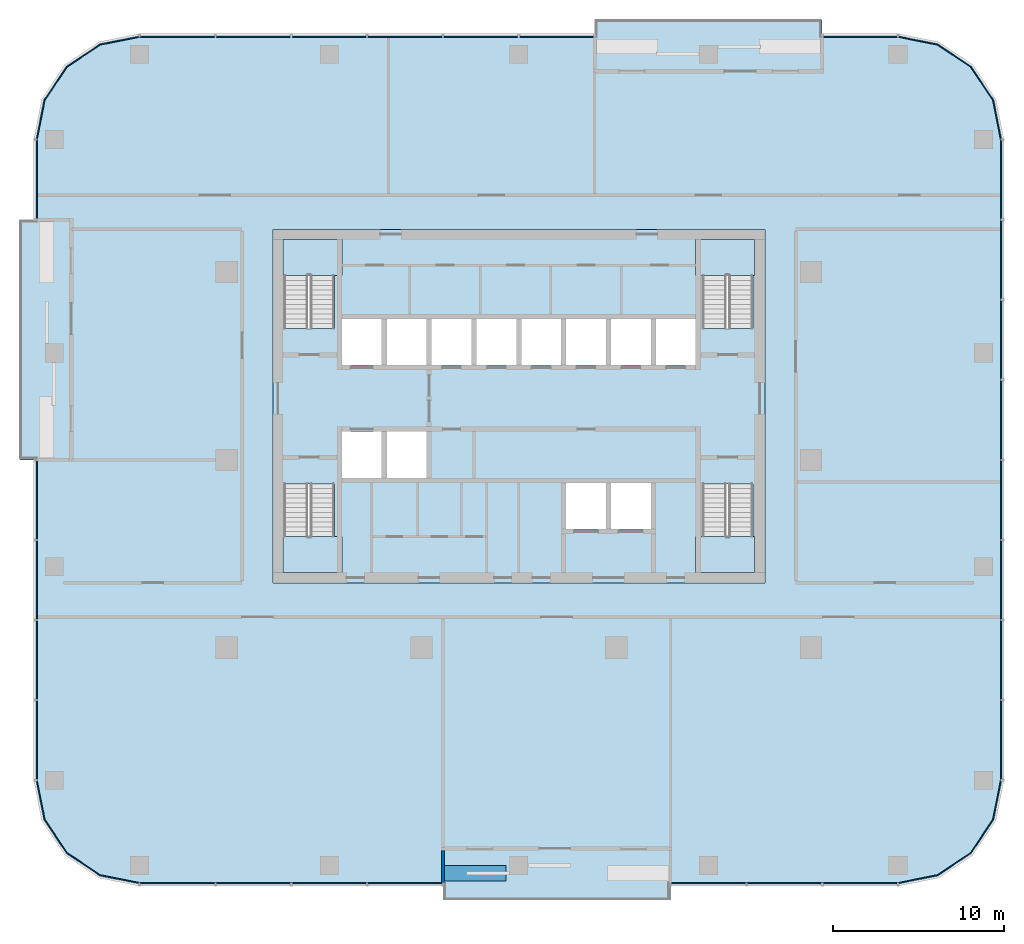
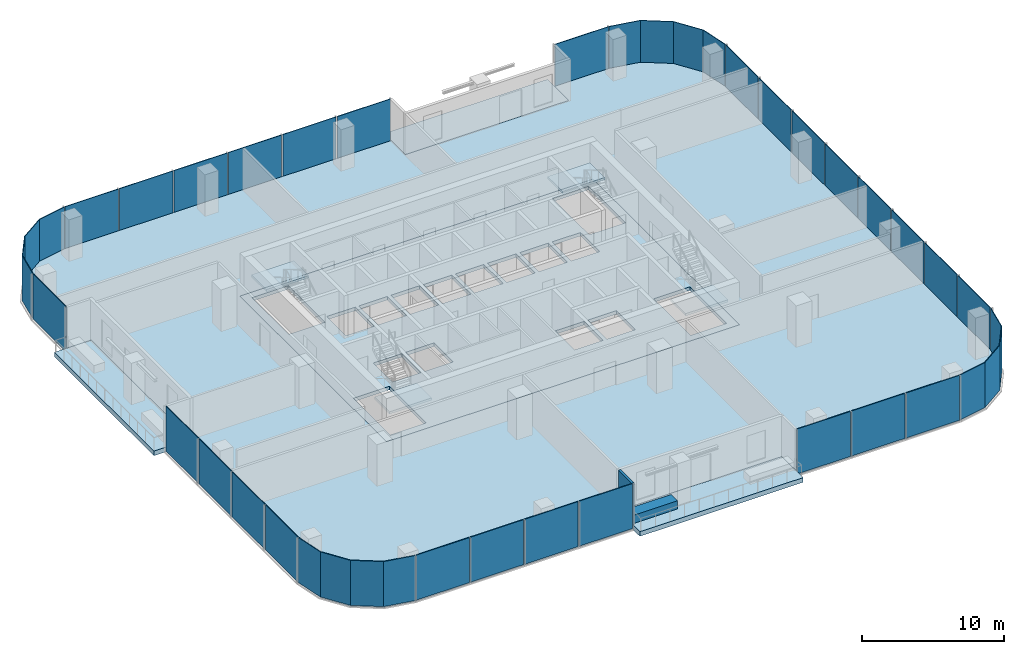
# One storey, part 6 of 14: 31 plates, 9 slabs, 2 walls, 15 elements without a shape of their own.
"""IFC4 building model written with IfcOpenShell, lengths in metres."""

from ifc_helpers import new_model, si_unit, direction, frame, frame_2d, origin, origin_2d, place, context, subcontext, project, spatial, polyline, rectangle, outline, extrude, material, layer, layer_set, type_object, element, aggregate, save


model = new_model("IFC4")

# Units and contexts
model_context = context("Model", 3, precision=1e-05, world=origin(), true_north=direction((0.0, 1.0)))
body_context = subcontext(model_context, "Body", "Model", "MODEL_VIEW")
ifc_project = project(units=[si_unit("LENGTHUNIT", "METRE"), si_unit("AREAUNIT", "SQUARE_METRE"), si_unit("VOLUMEUNIT", "CUBIC_METRE"), si_unit("PLANEANGLEUNIT", "RADIAN"), si_unit("MASSUNIT", "GRAM", prefix="KILO")], contexts=[model_context])

# Site, building, storey
site_placement = place(None, origin())
site = spatial("IfcSite", under=ifc_project, at=site_placement, CompositionType="ELEMENT")
building_placement = place(site_placement, origin())
building = spatial("IfcBuilding", under=site, at=building_placement, Name="Mopane Tessera Tower", CompositionType="ELEMENT")
storey_placement = place(building_placement, frame((0.0, 0.0, 239.0)))
storey = spatial("IfcBuildingStorey", under=building, at=storey_placement, Name="L51", CompositionType="ELEMENT", Elevation=239.0)

# Slab
ifc_material_1 = material(Name="Concrete C40/50", Category="concrete")
ifc_layer_1 = layer(ifc_material_1, 0.300048828125)
ifc_layer_set_1 = layer_set([ifc_layer_1], Name="Concrete C40/50")
slab_type_1 = type_object("IfcSlabType", Name="Core floor slab 300 mm", PredefinedType="FLOOR", material=ifc_layer_set_1)
slab_1_placement = place(storey_placement, frame((0.0, 0.0, -0.300048828125)))
element("IfcSlab", 1, at=slab_1_placement, inside=storey, type_object=slab_type_1, Name="L51 core floor slab", PredefinedType="FLOOR", context=body_context, shape_type="SweptSolid", body=[
    extrude(outline(polyline([(-14.39990234375, -7.199951171875), (14.39990234375, -7.199951171875), (14.39990234375, 13.5), (-14.39990234375, 13.5), (-14.39990234375, -7.199951171875)]), holes=[polyline([(-10.35009765625, -1.050048828125), (-8.02490234375, -1.050048828125), (-8.02490234375, 1.64990234375), (-10.35009765625, 1.64990234375), (-10.35009765625, -1.050048828125)]), polyline([(-7.72509765625, -1.050048828125), (-5.39990234375, -1.050048828125), (-5.39990234375, 1.64990234375), (-7.72509765625, 1.64990234375), (-7.72509765625, -1.050048828125)]), polyline([(-10.35009765625, 5.550048828125), (-8.02490234375, 5.550048828125), (-8.02490234375, 8.25), (-10.35009765625, 8.25), (-10.35009765625, 5.550048828125)]), polyline([(-7.72509765625, 5.550048828125), (-5.39990234375, 5.550048828125), (-5.39990234375, 8.25), (-7.72509765625, 8.25), (-7.72509765625, 5.550048828125)]), polyline([(-5.10009765625, 5.550048828125), (-2.77490234375, 5.550048828125), (-2.77490234375, 8.25), (-5.10009765625, 8.25), (-5.10009765625, 5.550048828125)]), polyline([(-2.47509765625, 5.550048828125), (-0.14990234375, 5.550048828125), (-0.14990234375, 8.25), (-2.47509765625, 8.25), (-2.47509765625, 5.550048828125)]), polyline([(0.14990234375, 5.550048828125), (2.47509765625, 5.550048828125), (2.47509765625, 8.25), (0.14990234375, 8.25), (0.14990234375, 5.550048828125)]), polyline([(2.77490234375, 5.550048828125), (5.10009765625, 5.550048828125), (5.10009765625, 8.25), (2.77490234375, 8.25), (2.77490234375, 5.550048828125)]), polyline([(5.39990234375, 5.550048828125), (7.72509765625, 5.550048828125), (7.72509765625, 8.25), (5.39990234375, 8.25), (5.39990234375, 5.550048828125)]), polyline([(8.02490234375, 5.550048828125), (10.35009765625, 5.550048828125), (10.35009765625, 8.25), (8.02490234375, 8.25), (8.02490234375, 5.550048828125)]), polyline([(2.77490234375, -4.050048828125), (5.10009765625, -4.050048828125), (5.10009765625, -1.35009765625), (2.77490234375, -1.35009765625), (2.77490234375, -4.050048828125)]), polyline([(5.39990234375, -4.050048828125), (7.72509765625, -4.050048828125), (7.72509765625, -1.35009765625), (5.39990234375, -1.35009765625), (5.39990234375, -4.050048828125)]), polyline([(-13.75, -1.405029296875), (-13.75, -6.60009765625), (-10.800048828125, -6.60009765625), (-10.800048828125, -1.405029296875), (-13.75, -1.405029296875)]), polyline([(-10.800048828125, 7.705078125), (-10.800048828125, 12.89990234375), (-13.75, 12.89990234375), (-13.75, 7.705078125), (-10.800048828125, 7.705078125)]), polyline([(10.75, -1.405029296875), (10.75, -6.60009765625), (13.699951171875, -6.60009765625), (13.699951171875, -1.405029296875), (10.75, -1.405029296875)]), polyline([(13.699951171875, 7.705078125), (13.699951171875, 12.89990234375), (10.75, 12.89990234375), (10.75, 7.705078125), (13.699951171875, 7.705078125)])]), origin(), (0.0, 0.0, 1.0), 0.300048828125),
])

# Stair, slab
ifc_material_2 = material(Name="Concrete C50/60", Category="concrete")
stair_type = type_object("IfcStairType", Name="Escape stair 1400 mm, riser 167 mm", PredefinedType="HALF_TURN_STAIR", material=ifc_material_2)
stair_1_placement = place(storey_placement, origin())
stair_1 = element("IfcStair", 2, at=stair_1_placement, inside=storey, type_object=stair_type, Name="L51 Escape stair south-west", PredefinedType="HALF_TURN_STAIR")
ifc_material_3 = material(Name="Concrete C50/60", Category="concrete")
ifc_layer_2 = layer(ifc_material_3, 0.199951171875)
ifc_layer_set_2 = layer_set([ifc_layer_2], Name="Concrete C50/60")
slab_type_2 = type_object("IfcSlabType", Name="Escape stair landing 200 mm", PredefinedType="LANDING", material=ifc_layer_set_2)
slab_2_placement = place(storey_placement, frame((0.0, 0.0, 1.800048828125)))
slab_2 = element("IfcSlab", 3, at=slab_2_placement, type_object=slab_type_2, Name="ST1 landing 1", PredefinedType="LANDING", context=body_context, shape_type="SweptSolid", body=[
    extrude(outline(polyline([(-13.800048828125, -4.47998046875), (-13.800048828125, -6.60009765625), (-10.35009765625, -6.60009765625), (-10.35009765625, -4.47998046875), (-13.800048828125, -4.47998046875)])), origin(), (0.0, 0.0, 1.0), 0.199951171875),
])
aggregate(stair_1, [slab_2])

stair_2_placement = place(storey_placement, origin())
stair_2 = element("IfcStair", 4, at=stair_2_placement, inside=storey, type_object=stair_type, Name="L51 Escape stair north-west", PredefinedType="HALF_TURN_STAIR")
slab_3_placement = place(storey_placement, frame((0.0, 0.0, 1.800048828125)))
slab_3 = element("IfcSlab", 5, at=slab_3_placement, type_object=slab_type_2, Name="ST2 landing 1", PredefinedType="LANDING", context=body_context, shape_type="SweptSolid", body=[
    extrude(outline(polyline([(-10.35009765625, 10.780029296875), (-10.35009765625, 12.89990234375), (-13.800048828125, 12.89990234375), (-13.800048828125, 10.780029296875), (-10.35009765625, 10.780029296875)])), origin(), (0.0, 0.0, 1.0), 0.199951171875),
])
aggregate(stair_2, [slab_3])

stair_3_placement = place(storey_placement, origin())
stair_3 = element("IfcStair", 6, at=stair_3_placement, inside=storey, type_object=stair_type, Name="L51 Escape stair south-east", PredefinedType="HALF_TURN_STAIR")
slab_4_placement = place(storey_placement, frame((0.0, 0.0, 1.800048828125)))
slab_4 = element("IfcSlab", 7, at=slab_4_placement, type_object=slab_type_2, Name="ST3 landing 1", PredefinedType="LANDING", context=body_context, shape_type="SweptSolid", body=[
    extrude(outline(polyline([(10.35009765625, -4.47998046875), (10.35009765625, -6.60009765625), (13.800048828125, -6.60009765625), (13.800048828125, -4.47998046875), (10.35009765625, -4.47998046875)])), origin(), (0.0, 0.0, 1.0), 0.199951171875),
])
aggregate(stair_3, [slab_4])

stair_4_placement = place(storey_placement, origin())
stair_4 = element("IfcStair", 8, at=stair_4_placement, inside=storey, type_object=stair_type, Name="L51 Escape stair north-east", PredefinedType="HALF_TURN_STAIR")
slab_5_placement = place(storey_placement, frame((0.0, 0.0, 1.800048828125)))
slab_5 = element("IfcSlab", 9, at=slab_5_placement, type_object=slab_type_2, Name="ST4 landing 1", PredefinedType="LANDING", context=body_context, shape_type="SweptSolid", body=[
    extrude(outline(polyline([(13.800048828125, 10.780029296875), (13.800048828125, 12.89990234375), (10.35009765625, 12.89990234375), (10.35009765625, 10.780029296875), (13.800048828125, 10.780029296875)])), origin(), (0.0, 0.0, 1.0), 0.199951171875),
])
aggregate(stair_4, [slab_5])

# Slabs
ifc_material_4 = material(Name="Concrete C40/50", Category="concrete")
ifc_layer_3 = layer(ifc_material_4, 0.39990234375)
ifc_layer_set_3 = layer_set([ifc_layer_3], Name="Concrete C40/50")
slab_type_3 = type_object("IfcSlabType", Name="Planted terrace slab 400 mm", PredefinedType="FLOOR", material=ifc_layer_set_3)
slab_6_placement = place(storey_placement, frame((0.0, 0.0, -0.39990234375)))
element("IfcSlab", 10, at=slab_6_placement, inside=storey, type_object=slab_type_3, Name="Terrace slab N1 L51", PredefinedType="FLOOR", context=body_context, shape_type="SweptSolid", body=[
    extrude(outline(polyline([(8.8798828125, -25.75), (8.8798828125, -22.75), (-4.43994140625, -22.75), (-4.43994140625, -25.75), (8.8798828125, -25.75)])), origin(), (0.0, 0.0, 1.0), 0.39990234375),
])
slab_7_placement = place(storey_placement, frame((0.0, 0.0, -0.39990234375)))
element("IfcSlab", 11, at=slab_7_placement, inside=storey, type_object=slab_type_3, Name="Terrace slab N2 L51", PredefinedType="FLOOR", context=body_context, shape_type="SweptSolid", body=[
    extrude(outline(polyline([(4.43994140625, 25.75), (4.43994140625, 22.75), (17.760009765625, 22.75), (17.760009765625, 25.75), (4.43994140625, 25.75)])), origin(), (0.0, 0.0, 1.0), 0.39990234375),
])
slab_8_placement = place(storey_placement, frame((0.0, 0.0, -0.39990234375)))
element("IfcSlab", 12, at=slab_8_placement, inside=storey, type_object=slab_type_3, Name="Terrace slab N3 L51", PredefinedType="FLOOR", context=body_context, shape_type="SweptSolid", body=[
    extrude(outline(polyline([(-29.199951171875, 0.0), (-26.199951171875, 0.0), (-26.199951171875, 14.0625), (-29.199951171875, 14.0625), (-29.199951171875, 0.0)])), origin(), (0.0, 0.0, 1.0), 0.39990234375),
])
ifc_material_5 = material(Name="Concrete C40/50", Category="concrete")
ifc_layer_4 = layer(ifc_material_5, 0.39990234375)
ifc_layer_set_4 = layer_set([ifc_layer_4], Name="Concrete C40/50")
slab_type_4 = type_object("IfcSlabType", Name="Post-tensioned flat plate 400 mm", PredefinedType="FLOOR", material=ifc_layer_set_4)
slab_9_placement = place(storey_placement, frame((0.0, 0.0, -0.39990234375)))
element("IfcSlab", 13, at=slab_9_placement, inside=storey, type_object=slab_type_4, Name="Floor slab L51", PredefinedType="FLOOR", context=body_context, shape_type="SweptSolid", body=[
    extrude(outline(polyline([(-22.199951171875, -24.75), (-4.43994140625, -24.75), (-4.43994140625, -22.75), (8.8798828125, -22.75), (8.8798828125, -24.75), (22.199951171875, -24.75), (24.49609375, -24.293212890625), (26.442626953125, -22.99267578125), (27.7431640625, -21.046142578125), (28.199951171875, -18.75), (28.199951171875, 18.75), (27.7431640625, 21.046142578125), (26.442626953125, 22.99267578125), (24.49609375, 24.293212890625), (22.199951171875, 24.75), (17.760009765625, 24.75), (17.760009765625, 22.75), (4.43994140625, 22.75), (4.43994140625, 24.75), (-22.199951171875, 24.75), (-24.49609375, 24.293212890625), (-26.442626953125, 22.99267578125), (-27.7431640625, 21.046142578125), (-28.199951171875, 18.75), (-28.199951171875, 14.0625), (-26.199951171875, 14.0625), (-26.199951171875, 0.0), (-28.199951171875, 0.0), (-28.199951171875, -18.75), (-27.7431640625, -21.046142578125), (-26.442626953125, -22.99267578125), (-24.49609375, -24.293212890625), (-22.199951171875, -24.75)]), holes=[polyline([(14.39990234375, -7.199951171875), (-14.39990234375, -7.199951171875), (-14.39990234375, 13.5), (14.39990234375, 13.5), (14.39990234375, -7.199951171875)])]), origin(), (0.0, 0.0, 1.0), 0.39990234375),
])

# Curtain wall, plates
ifc_material_6 = material(Name="Aluminium frame", Category="aluminium")
curtain_wall_type = type_object("IfcCurtainWallType", Name="Unitised curtain wall", PredefinedType="NOTDEFINED", material=ifc_material_6)
curtain_wall_1_placement = place(storey_placement, origin())
curtain_wall_1 = element("IfcCurtainWall", 14, at=curtain_wall_1_placement, inside=storey, type_object=curtain_wall_type, Name="e:cw:L51:S:0", PredefinedType="NOTDEFINED")
ifc_material_7 = material(Name="Clear laminated glass", Category="glass")
ifc_layer_5 = layer(ifc_material_7, 0.06005859375)
ifc_layer_set_5 = layer_set([ifc_layer_5], Name="Clear laminated glass")
plate_type = type_object("IfcPlateType", Name="Unitised glazed unit", PredefinedType="CURTAIN_PANEL", material=ifc_layer_set_5)
plate_1_placement = place(storey_placement, frame((-19.97998046875, -24.780029296875, -0.280029296875), z_axis=(0.0, 0.0, 1.0), x_axis=(1.0, 0.0, 0.0)))
plate_1 = element("IfcPlate", 15, at=plate_1_placement, type_object=plate_type, Name="e:cw:L51:S:0:pn0", PredefinedType="CURTAIN_PANEL", context=body_context, shape_type="SweptSolid", body=[
    extrude(rectangle(XDim=4.340087890625, YDim=0.06005859375, at=origin_2d()), origin(), (0.0, 0.0, 1.0), 3.8798828125),
])
plate_2_placement = place(storey_placement, frame((-15.5400390625, -24.780029296875, -0.280029296875), z_axis=(0.0, 0.0, 1.0), x_axis=(1.0, 0.0, 0.0)))
plate_2 = element("IfcPlate", 16, at=plate_2_placement, type_object=plate_type, Name="e:cw:L51:S:0:pn1", PredefinedType="CURTAIN_PANEL", context=body_context, shape_type="SweptSolid", body=[
    extrude(rectangle(XDim=4.340087890625, YDim=0.06005859375, at=origin_2d()), origin(), (0.0, 0.0, 1.0), 3.8798828125),
])
plate_3_placement = place(storey_placement, frame((-11.10009765625, -24.780029296875, -0.280029296875), z_axis=(0.0, 0.0, 1.0), x_axis=(1.0, 0.0, 0.0)))
plate_3 = element("IfcPlate", 17, at=plate_3_placement, type_object=plate_type, Name="e:cw:L51:S:0:pn2", PredefinedType="CURTAIN_PANEL", context=body_context, shape_type="SweptSolid", body=[
    extrude(rectangle(XDim=4.340087890625, YDim=0.06005859375, at=origin_2d()), origin(), (0.0, 0.0, 1.0), 3.8798828125),
])
plate_4_placement = place(storey_placement, frame((-6.659912109375, -24.780029296875, -0.280029296875), z_axis=(0.0, 0.0, 1.0), x_axis=(1.0, 0.0, 0.0)))
plate_4 = element("IfcPlate", 18, at=plate_4_placement, type_object=plate_type, Name="e:cw:L51:S:0:pn3", PredefinedType="CURTAIN_PANEL", context=body_context, shape_type="SweptSolid", body=[
    extrude(rectangle(XDim=4.340087890625, YDim=0.06005859375, at=origin_2d()), origin(), (0.0, 0.0, 1.0), 3.8798828125),
])
aggregate(curtain_wall_1, [plate_1, plate_2, plate_3, plate_4])

curtain_wall_2_placement = place(storey_placement, origin())
curtain_wall_2 = element("IfcCurtainWall", 19, at=curtain_wall_2_placement, inside=storey, type_object=curtain_wall_type, Name="e:cw:L51:S:7", PredefinedType="NOTDEFINED")
plate_5_placement = place(storey_placement, frame((11.10009765625, -24.780029296875, -0.280029296875), z_axis=(0.0, 0.0, 1.0), x_axis=(1.0, 0.0, 0.0)))
plate_5 = element("IfcPlate", 20, at=plate_5_placement, type_object=plate_type, Name="e:cw:L51:S:7:pn7", PredefinedType="CURTAIN_PANEL", context=body_context, shape_type="SweptSolid", body=[
    extrude(rectangle(XDim=4.340087890625, YDim=0.06005859375, at=origin_2d()), origin(), (0.0, 0.0, 1.0), 3.8798828125),
])
plate_6_placement = place(storey_placement, frame((15.5400390625, -24.780029296875, -0.280029296875), z_axis=(0.0, 0.0, 1.0), x_axis=(1.0, 0.0, 0.0)))
plate_6 = element("IfcPlate", 21, at=plate_6_placement, type_object=plate_type, Name="e:cw:L51:S:7:pn8", PredefinedType="CURTAIN_PANEL", context=body_context, shape_type="SweptSolid", body=[
    extrude(rectangle(XDim=4.340087890625, YDim=0.06005859375, at=origin_2d()), origin(), (0.0, 0.0, 1.0), 3.8798828125),
])
plate_7_placement = place(storey_placement, frame((19.97998046875, -24.780029296875, -0.280029296875), z_axis=(0.0, 0.0, 1.0), x_axis=(1.0, 0.0, 0.0)))
plate_7 = element("IfcPlate", 22, at=plate_7_placement, type_object=plate_type, Name="e:cw:L51:S:7:pn9", PredefinedType="CURTAIN_PANEL", context=body_context, shape_type="SweptSolid", body=[
    extrude(rectangle(XDim=4.340087890625, YDim=0.06005859375, at=origin_2d()), origin(), (0.0, 0.0, 1.0), 3.8798828125),
])
aggregate(curtain_wall_2, [plate_5, plate_6, plate_7])

# Curtain wall, plate
curtain_wall_3_placement = place(storey_placement, origin())
curtain_wall_3 = element("IfcCurtainWall", 23, at=curtain_wall_3_placement, inside=storey, type_object=curtain_wall_type, Name="e:cw:L51:CS", PredefinedType="NOTDEFINED")
plate_8_placement = place(storey_placement, frame((0.0, 0.0, -0.280029296875)))
plate_8 = element("IfcPlate", 24, at=plate_8_placement, type_object=plate_type, Name="e:cw:L51:CS:pn", PredefinedType="CURTAIN_PANEL", context=body_context, shape_type="SweptSolid", body=[
    extrude(outline(polyline([(22.199951171875, -24.75), (24.49609375, -24.293212890625), (26.442626953125, -22.99267578125), (27.7431640625, -21.046142578125), (28.199951171875, -18.75), (28.260009765625, -18.75), (27.798828125, -21.069091796875), (26.485107421875, -23.03515625), (24.51904296875, -24.3486328125), (22.199951171875, -24.81005859375), (22.199951171875, -24.75)])), origin(), (0.0, 0.0, 1.0), 3.880126953125),
])
aggregate(curtain_wall_3, [plate_8])

# Curtain wall, plates
curtain_wall_4_placement = place(storey_placement, origin())
curtain_wall_4 = element("IfcCurtainWall", 25, at=curtain_wall_4_placement, inside=storey, type_object=curtain_wall_type, Name="e:cw:L51:E:0", PredefinedType="NOTDEFINED")
plate_9_placement = place(storey_placement, frame((28.22998046875, -16.40625, -0.280029296875), z_axis=(0.0, 0.0, 1.0), x_axis=(0.0, 1.0, 0.0)))
plate_9 = element("IfcPlate", 26, at=plate_9_placement, type_object=plate_type, Name="e:cw:L51:E:0:pn0", PredefinedType="CURTAIN_PANEL", context=body_context, shape_type="SweptSolid", body=[
    extrude(rectangle(XDim=4.58740234375, YDim=0.06005859375, at=origin_2d()), origin(), (0.0, 0.0, 1.0), 3.8798828125),
])
plate_10_placement = place(storey_placement, frame((28.22998046875, -11.71875, -0.280029296875), z_axis=(0.0, 0.0, 1.0), x_axis=(0.0, 1.0, 0.0)))
plate_10 = element("IfcPlate", 27, at=plate_10_placement, type_object=plate_type, Name="e:cw:L51:E:0:pn1", PredefinedType="CURTAIN_PANEL", context=body_context, shape_type="SweptSolid", body=[
    extrude(rectangle(XDim=4.58740234375, YDim=0.06005859375, at=origin_2d()), origin(), (0.0, 0.0, 1.0), 3.8798828125),
])
plate_11_placement = place(storey_placement, frame((28.22998046875, -7.03125, -0.280029296875), z_axis=(0.0, 0.0, 1.0), x_axis=(0.0, 1.0, 0.0)))
plate_11 = element("IfcPlate", 28, at=plate_11_placement, type_object=plate_type, Name="e:cw:L51:E:0:pn2", PredefinedType="CURTAIN_PANEL", context=body_context, shape_type="SweptSolid", body=[
    extrude(rectangle(XDim=4.58740234375, YDim=0.06005859375, at=origin_2d()), origin(), (0.0, 0.0, 1.0), 3.8798828125),
])
plate_12_placement = place(storey_placement, frame((28.22998046875, -2.34375, -0.280029296875), z_axis=(0.0, 0.0, 1.0), x_axis=(0.0, 1.0, 0.0)))
plate_12 = element("IfcPlate", 29, at=plate_12_placement, type_object=plate_type, Name="e:cw:L51:E:0:pn3", PredefinedType="CURTAIN_PANEL", context=body_context, shape_type="SweptSolid", body=[
    extrude(rectangle(XDim=4.58740234375, YDim=0.06005859375, at=origin_2d()), origin(), (0.0, 0.0, 1.0), 3.8798828125),
])
plate_13_placement = place(storey_placement, frame((28.22998046875, 2.34375, -0.280029296875), z_axis=(0.0, 0.0, 1.0), x_axis=(0.0, 1.0, 0.0)))
plate_13 = element("IfcPlate", 30, at=plate_13_placement, type_object=plate_type, Name="e:cw:L51:E:0:pn4", PredefinedType="CURTAIN_PANEL", context=body_context, shape_type="SweptSolid", body=[
    extrude(rectangle(XDim=4.58740234375, YDim=0.06005859375, at=origin_2d()), origin(), (0.0, 0.0, 1.0), 3.8798828125),
])
plate_14_placement = place(storey_placement, frame((28.22998046875, 7.03125, -0.280029296875), z_axis=(0.0, 0.0, 1.0), x_axis=(0.0, 1.0, 0.0)))
plate_14 = element("IfcPlate", 31, at=plate_14_placement, type_object=plate_type, Name="e:cw:L51:E:0:pn5", PredefinedType="CURTAIN_PANEL", context=body_context, shape_type="SweptSolid", body=[
    extrude(rectangle(XDim=4.58740234375, YDim=0.06005859375, at=origin_2d()), origin(), (0.0, 0.0, 1.0), 3.8798828125),
])
plate_15_placement = place(storey_placement, frame((28.22998046875, 11.71875, -0.280029296875), z_axis=(0.0, 0.0, 1.0), x_axis=(0.0, 1.0, 0.0)))
plate_15 = element("IfcPlate", 32, at=plate_15_placement, type_object=plate_type, Name="e:cw:L51:E:0:pn6", PredefinedType="CURTAIN_PANEL", context=body_context, shape_type="SweptSolid", body=[
    extrude(rectangle(XDim=4.58740234375, YDim=0.06005859375, at=origin_2d()), origin(), (0.0, 0.0, 1.0), 3.8798828125),
])
plate_16_placement = place(storey_placement, frame((28.22998046875, 16.40625, -0.280029296875), z_axis=(0.0, 0.0, 1.0), x_axis=(0.0, 1.0, 0.0)))
plate_16 = element("IfcPlate", 33, at=plate_16_placement, type_object=plate_type, Name="e:cw:L51:E:0:pn7", PredefinedType="CURTAIN_PANEL", context=body_context, shape_type="SweptSolid", body=[
    extrude(rectangle(XDim=4.58740234375, YDim=0.06005859375, at=origin_2d()), origin(), (0.0, 0.0, 1.0), 3.8798828125),
])
aggregate(curtain_wall_4, [plate_9, plate_10, plate_11, plate_12, plate_13, plate_14, plate_15, plate_16])

# Curtain wall, plate
curtain_wall_5_placement = place(storey_placement, origin())
curtain_wall_5 = element("IfcCurtainWall", 34, at=curtain_wall_5_placement, inside=storey, type_object=curtain_wall_type, Name="e:cw:L51:CE", PredefinedType="NOTDEFINED")
plate_17_placement = place(storey_placement, frame((0.0, 0.0, -0.280029296875)))
plate_17 = element("IfcPlate", 35, at=plate_17_placement, type_object=plate_type, Name="e:cw:L51:CE:pn", PredefinedType="CURTAIN_PANEL", context=body_context, shape_type="SweptSolid", body=[
    extrude(outline(polyline([(28.199951171875, 18.75), (27.7431640625, 21.046142578125), (26.442626953125, 22.99267578125), (24.49609375, 24.293212890625), (22.199951171875, 24.75), (22.199951171875, 24.81005859375), (24.51904296875, 24.3486328125), (26.485107421875, 23.03515625), (27.798828125, 21.069091796875), (28.260009765625, 18.75), (28.199951171875, 18.75)])), origin(), (0.0, 0.0, 1.0), 3.880126953125),
])
aggregate(curtain_wall_5, [plate_17])

curtain_wall_6_placement = place(storey_placement, origin())
curtain_wall_6 = element("IfcCurtainWall", 36, at=curtain_wall_6_placement, inside=storey, type_object=curtain_wall_type, Name="e:cw:L51:N:0", PredefinedType="NOTDEFINED")
plate_18_placement = place(storey_placement, frame((19.97998046875, 24.780029296875, -0.280029296875), z_axis=(0.0, 0.0, 1.0), x_axis=(-1.0, 0.0, 0.0)))
plate_18 = element("IfcPlate", 37, at=plate_18_placement, type_object=plate_type, Name="e:cw:L51:N:0:pn0", PredefinedType="CURTAIN_PANEL", context=body_context, shape_type="SweptSolid", body=[
    extrude(rectangle(XDim=4.340087890625, YDim=0.06005859375, at=origin_2d()), origin(), (0.0, 0.0, 1.0), 3.8798828125),
])
aggregate(curtain_wall_6, [plate_18])

# Curtain wall, plates
curtain_wall_7_placement = place(storey_placement, origin())
curtain_wall_7 = element("IfcCurtainWall", 38, at=curtain_wall_7_placement, inside=storey, type_object=curtain_wall_type, Name="e:cw:L51:N:4", PredefinedType="NOTDEFINED")
plate_19_placement = place(storey_placement, frame((2.219970703125, 24.780029296875, -0.280029296875), z_axis=(0.0, 0.0, 1.0), x_axis=(-1.0, 0.0, 0.0)))
plate_19 = element("IfcPlate", 39, at=plate_19_placement, type_object=plate_type, Name="e:cw:L51:N:4:pn4", PredefinedType="CURTAIN_PANEL", context=body_context, shape_type="SweptSolid", body=[
    extrude(rectangle(XDim=4.340087890625, YDim=0.06005859375, at=origin_2d()), origin(), (0.0, 0.0, 1.0), 3.8798828125),
])
plate_20_placement = place(storey_placement, frame((-2.219970703125, 24.780029296875, -0.280029296875), z_axis=(0.0, 0.0, 1.0), x_axis=(-1.0, 0.0, 0.0)))
plate_20 = element("IfcPlate", 40, at=plate_20_placement, type_object=plate_type, Name="e:cw:L51:N:4:pn5", PredefinedType="CURTAIN_PANEL", context=body_context, shape_type="SweptSolid", body=[
    extrude(rectangle(XDim=4.340087890625, YDim=0.06005859375, at=origin_2d()), origin(), (0.0, 0.0, 1.0), 3.8798828125),
])
plate_21_placement = place(storey_placement, frame((-6.659912109375, 24.780029296875, -0.280029296875), z_axis=(0.0, 0.0, 1.0), x_axis=(-1.0, 0.0, 0.0)))
plate_21 = element("IfcPlate", 41, at=plate_21_placement, type_object=plate_type, Name="e:cw:L51:N:4:pn6", PredefinedType="CURTAIN_PANEL", context=body_context, shape_type="SweptSolid", body=[
    extrude(rectangle(XDim=4.340087890625, YDim=0.06005859375, at=origin_2d()), origin(), (0.0, 0.0, 1.0), 3.8798828125),
])
plate_22_placement = place(storey_placement, frame((-11.10009765625, 24.780029296875, -0.280029296875), z_axis=(0.0, 0.0, 1.0), x_axis=(-1.0, 0.0, 0.0)))
plate_22 = element("IfcPlate", 42, at=plate_22_placement, type_object=plate_type, Name="e:cw:L51:N:4:pn7", PredefinedType="CURTAIN_PANEL", context=body_context, shape_type="SweptSolid", body=[
    extrude(rectangle(XDim=4.340087890625, YDim=0.06005859375, at=origin_2d()), origin(), (0.0, 0.0, 1.0), 3.8798828125),
])
plate_23_placement = place(storey_placement, frame((-15.5400390625, 24.780029296875, -0.280029296875), z_axis=(0.0, 0.0, 1.0), x_axis=(-1.0, 0.0, 0.0)))
plate_23 = element("IfcPlate", 43, at=plate_23_placement, type_object=plate_type, Name="e:cw:L51:N:4:pn8", PredefinedType="CURTAIN_PANEL", context=body_context, shape_type="SweptSolid", body=[
    extrude(rectangle(XDim=4.340087890625, YDim=0.06005859375, at=origin_2d()), origin(), (0.0, 0.0, 1.0), 3.8798828125),
])
plate_24_placement = place(storey_placement, frame((-19.97998046875, 24.780029296875, -0.280029296875), z_axis=(0.0, 0.0, 1.0), x_axis=(-1.0, 0.0, 0.0)))
plate_24 = element("IfcPlate", 44, at=plate_24_placement, type_object=plate_type, Name="e:cw:L51:N:4:pn9", PredefinedType="CURTAIN_PANEL", context=body_context, shape_type="SweptSolid", body=[
    extrude(rectangle(XDim=4.340087890625, YDim=0.06005859375, at=origin_2d()), origin(), (0.0, 0.0, 1.0), 3.8798828125),
])
aggregate(curtain_wall_7, [plate_19, plate_20, plate_21, plate_22, plate_23, plate_24])

# Curtain wall, plate
curtain_wall_8_placement = place(storey_placement, origin())
curtain_wall_8 = element("IfcCurtainWall", 45, at=curtain_wall_8_placement, inside=storey, type_object=curtain_wall_type, Name="e:cw:L51:CN", PredefinedType="NOTDEFINED")
plate_25_placement = place(storey_placement, frame((0.0, 0.0, -0.280029296875)))
plate_25 = element("IfcPlate", 46, at=plate_25_placement, type_object=plate_type, Name="e:cw:L51:CN:pn", PredefinedType="CURTAIN_PANEL", context=body_context, shape_type="SweptSolid", body=[
    extrude(outline(polyline([(-22.199951171875, 24.75), (-24.49609375, 24.293212890625), (-26.442626953125, 22.99267578125), (-27.7431640625, 21.046142578125), (-28.199951171875, 18.75), (-28.260009765625, 18.75), (-27.798828125, 21.069091796875), (-26.485107421875, 23.03515625), (-24.51904296875, 24.3486328125), (-22.199951171875, 24.81005859375), (-22.199951171875, 24.75)])), origin(), (0.0, 0.0, 1.0), 3.880126953125),
])
aggregate(curtain_wall_8, [plate_25])

curtain_wall_9_placement = place(storey_placement, origin())
curtain_wall_9 = element("IfcCurtainWall", 47, at=curtain_wall_9_placement, inside=storey, type_object=curtain_wall_type, Name="e:cw:L51:W:0", PredefinedType="NOTDEFINED")
plate_26_placement = place(storey_placement, frame((-28.22998046875, 16.40625, -0.280029296875), z_axis=(0.0, 0.0, 1.0), x_axis=(0.0, -1.0, 0.0)))
plate_26 = element("IfcPlate", 48, at=plate_26_placement, type_object=plate_type, Name="e:cw:L51:W:0:pn0", PredefinedType="CURTAIN_PANEL", context=body_context, shape_type="SweptSolid", body=[
    extrude(rectangle(XDim=4.58740234375, YDim=0.06005859375, at=origin_2d()), origin(), (0.0, 0.0, 1.0), 3.8798828125),
])
aggregate(curtain_wall_9, [plate_26])

# Curtain wall, plates
curtain_wall_10_placement = place(storey_placement, origin())
curtain_wall_10 = element("IfcCurtainWall", 49, at=curtain_wall_10_placement, inside=storey, type_object=curtain_wall_type, Name="e:cw:L51:W:4", PredefinedType="NOTDEFINED")
plate_27_placement = place(storey_placement, frame((-28.22998046875, -2.34375, -0.280029296875), z_axis=(0.0, 0.0, 1.0), x_axis=(0.0, -1.0, 0.0)))
plate_27 = element("IfcPlate", 50, at=plate_27_placement, type_object=plate_type, Name="e:cw:L51:W:4:pn4", PredefinedType="CURTAIN_PANEL", context=body_context, shape_type="SweptSolid", body=[
    extrude(rectangle(XDim=4.58740234375, YDim=0.06005859375, at=origin_2d()), origin(), (0.0, 0.0, 1.0), 3.8798828125),
])
plate_28_placement = place(storey_placement, frame((-28.22998046875, -7.03125, -0.280029296875), z_axis=(0.0, 0.0, 1.0), x_axis=(0.0, -1.0, 0.0)))
plate_28 = element("IfcPlate", 51, at=plate_28_placement, type_object=plate_type, Name="e:cw:L51:W:4:pn5", PredefinedType="CURTAIN_PANEL", context=body_context, shape_type="SweptSolid", body=[
    extrude(rectangle(XDim=4.58740234375, YDim=0.06005859375, at=origin_2d()), origin(), (0.0, 0.0, 1.0), 3.8798828125),
])
plate_29_placement = place(storey_placement, frame((-28.22998046875, -11.71875, -0.280029296875), z_axis=(0.0, 0.0, 1.0), x_axis=(0.0, -1.0, 0.0)))
plate_29 = element("IfcPlate", 52, at=plate_29_placement, type_object=plate_type, Name="e:cw:L51:W:4:pn6", PredefinedType="CURTAIN_PANEL", context=body_context, shape_type="SweptSolid", body=[
    extrude(rectangle(XDim=4.58740234375, YDim=0.06005859375, at=origin_2d()), origin(), (0.0, 0.0, 1.0), 3.8798828125),
])
plate_30_placement = place(storey_placement, frame((-28.22998046875, -16.40625, -0.280029296875), z_axis=(0.0, 0.0, 1.0), x_axis=(0.0, -1.0, 0.0)))
plate_30 = element("IfcPlate", 53, at=plate_30_placement, type_object=plate_type, Name="e:cw:L51:W:4:pn7", PredefinedType="CURTAIN_PANEL", context=body_context, shape_type="SweptSolid", body=[
    extrude(rectangle(XDim=4.58740234375, YDim=0.06005859375, at=origin_2d()), origin(), (0.0, 0.0, 1.0), 3.8798828125),
])
aggregate(curtain_wall_10, [plate_27, plate_28, plate_29, plate_30])

# Curtain wall, plate
curtain_wall_11_placement = place(storey_placement, origin())
curtain_wall_11 = element("IfcCurtainWall", 54, at=curtain_wall_11_placement, inside=storey, type_object=curtain_wall_type, Name="e:cw:L51:CW", PredefinedType="NOTDEFINED")
plate_31_placement = place(storey_placement, frame((0.0, 0.0, -0.280029296875)))
plate_31 = element("IfcPlate", 55, at=plate_31_placement, type_object=plate_type, Name="e:cw:L51:CW:pn", PredefinedType="CURTAIN_PANEL", context=body_context, shape_type="SweptSolid", body=[
    extrude(outline(polyline([(-28.199951171875, -18.75), (-27.7431640625, -21.046142578125), (-26.442626953125, -22.99267578125), (-24.49609375, -24.293212890625), (-22.199951171875, -24.75), (-22.199951171875, -24.81005859375), (-24.51904296875, -24.3486328125), (-26.485107421875, -23.03515625), (-27.798828125, -21.069091796875), (-28.260009765625, -18.75), (-28.199951171875, -18.75)])), origin(), (0.0, 0.0, 1.0), 3.880126953125),
])
aggregate(curtain_wall_11, [plate_31])

# Walls
ifc_material_8 = material(Name="Reinforced concrete C32/40 with waterproofing", Category="concrete")
ifc_layer_6 = layer(ifc_material_8, 0.89990234375)
ifc_layer_set_6 = layer_set([ifc_layer_6], Name="Reinforced concrete C32/40 with waterproofing")
wall_type_1 = type_object("IfcWallType", Name="Planter trough 3600 x 900", PredefinedType="STANDARD", material=ifc_layer_set_6)
wall_1_placement = place(storey_placement, frame((-4.340087890625, -24.199951171875, 0.0), z_axis=(0.0, 0.0, 1.0), x_axis=(1.0, 0.0, 0.0)))
element("IfcWall", 56, at=wall_1_placement, inside=storey, type_object=wall_type_1, Name="e:nw:L51:N1:pl0", PredefinedType="STANDARD", context=body_context, shape_type="SweptSolid", body=[
    extrude(rectangle(XDim=3.60009765625, YDim=0.89990234375, at=frame_2d((1.800048828125, 0.0))), origin(), (0.0, 0.0, 1.0), 0.699951171875),
])
ifc_material_9 = material(Name="Blockwork with glazed tile facing", Category="masonry")
ifc_layer_7 = layer(ifc_material_9, 0.199951171875)
ifc_layer_set_7 = layer_set([ifc_layer_7], Name="Blockwork with glazed tile facing")
wall_type_2 = type_object("IfcWallType", Name="Terrace cheek wall 200", PredefinedType="STANDARD", material=ifc_layer_set_7)
wall_2_placement = place(storey_placement, frame((-4.43994140625, -24.75, 0.0), z_axis=(0.0, 0.0, 1.0), x_axis=(0.0, 1.0, 0.0)))
element("IfcWall", 57, at=wall_2_placement, inside=storey, type_object=wall_type_2, Name="e:nw:L51:N1:cheeka", PredefinedType="STANDARD", context=body_context, shape_type="SweptSolid", body=[
    extrude(rectangle(XDim=1.875, YDim=0.199951171875, at=frame_2d((0.9375, 0.0))), origin(), (0.0, 0.0, 1.0), 3.60009765625),
])

save(model, "model.ifc")
